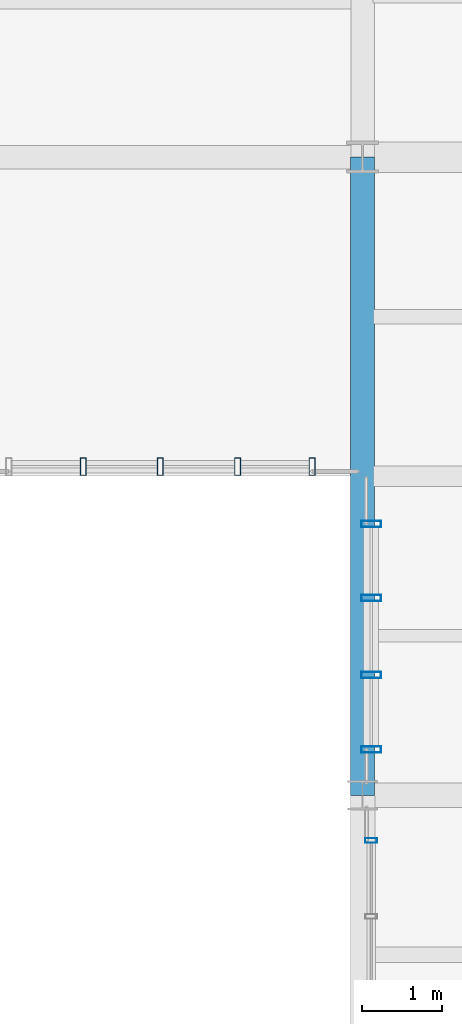
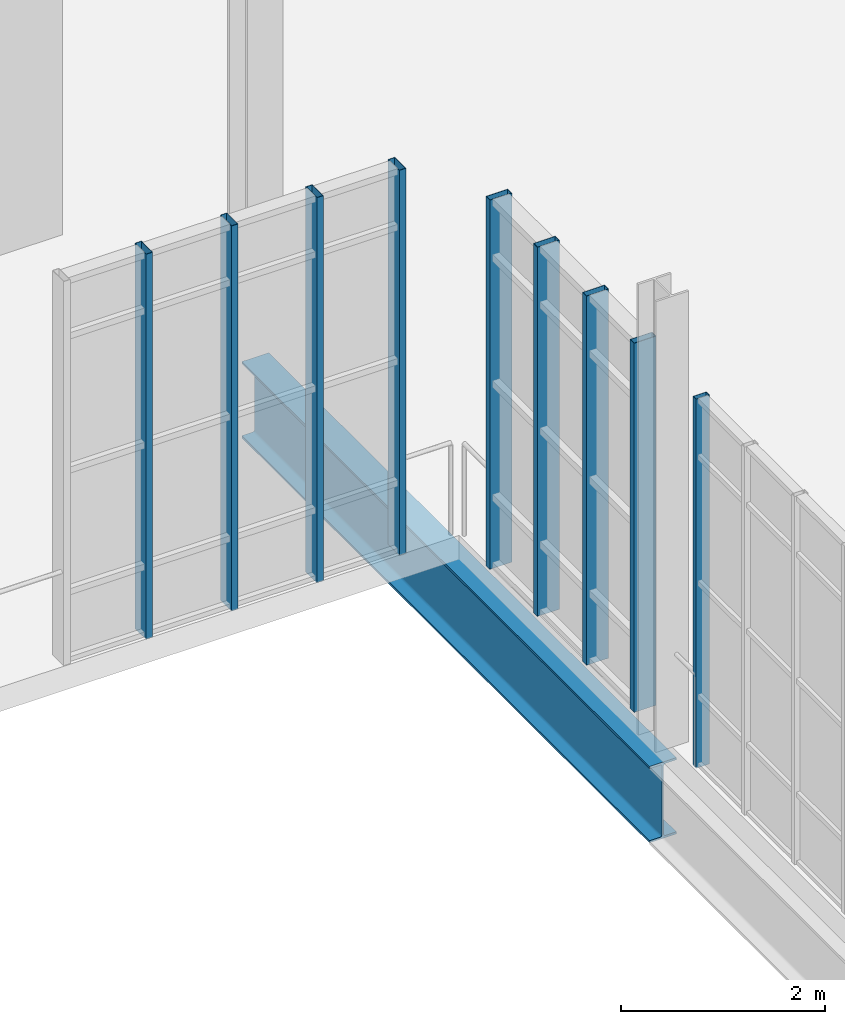
# One storey, part 71 of 189: 9 members, 1 beam, 3 elements without a shape of their own.
"""IFC4 building model written with IfcOpenShell, lengths in metres."""

from ifc_helpers import new_model, si_unit, direction, frame, origin, origin_2d, place, context, subcontext, project, spatial, hollow_rectangle, i_section, extrude, material, layer, layer_set, material_profile, profile_set, type_object, element, aggregate, save


model = new_model("IFC4")

# Units and contexts
model_context = context("Model", 3, precision=1e-05, world=origin(), true_north=direction((0.0, 1.0)))
body_context = subcontext(model_context, "Body", "Model", "MODEL_VIEW")
ifc_project = project(units=[si_unit("LENGTHUNIT", "METRE"), si_unit("AREAUNIT", "SQUARE_METRE"), si_unit("VOLUMEUNIT", "CUBIC_METRE"), si_unit("PLANEANGLEUNIT", "RADIAN"), si_unit("MASSUNIT", "GRAM", prefix="KILO"), si_unit("THERMODYNAMICTEMPERATUREUNIT", "KELVIN"), si_unit("POWERUNIT", "WATT")], contexts=[model_context])

# Site, building, storey
site_placement = place(None, origin())
site = spatial("IfcSite", under=ifc_project, at=site_placement, CompositionType="ELEMENT")
building_placement = place(site_placement, origin())
building = spatial("IfcBuilding", under=site, at=building_placement, Name="Zelmaris Science Centre", CompositionType="ELEMENT")
storey_placement = place(building_placement, origin())
storey = spatial("IfcBuildingStorey", under=building, at=storey_placement, Name="L00", CompositionType="ELEMENT", Elevation=0.0)

# Curtain wall, member
ifc_material_1 = material(Name="Anodised architectural aluminium 6063-T6", Category="aluminium")
ifc_layer_1 = layer(ifc_material_1, 0.219970703125, Name="Anodised architectural aluminium 6063-T6")
ifc_layer_set_1 = layer_set([ifc_layer_1], Name="Anodised architectural aluminium 6063-T6")
curtain_wall_type_1 = type_object("IfcCurtainWallType", Name="Curtain Wall CW-04", PredefinedType="USERDEFINED", material=ifc_layer_set_1)
curtain_wall_1_placement = place(storey_placement, origin())
curtain_wall_1 = element("IfcCurtainWall", 1, at=curtain_wall_1_placement, inside=storey, type_object=curtain_wall_type_1, Name="L00 Unitised curtain wall 68", ObjectType="GLAZED CURTAIN WALL", PredefinedType="USERDEFINED")
ifc_material_profile_1 = material_profile(ifc_material_1, hollow_rectangle(XDim=0.06005859375, YDim=0.14990234375, WallThickness=0.00341796875, at=origin_2d()), Name="ALU-MUL-60X150")
ifc_profile_set_1 = profile_set([ifc_material_profile_1], Name="Anodised architectural aluminium 6063-T6")
member_type_1 = type_object("IfcMemberType", Name="ALU-MUL-60X150", PredefinedType="MULLION", material=ifc_profile_set_1)
member_1_placement = place(storey_placement, frame((117.10791015625, 39.43408203125, -0.014892578125), z_axis=(0.0, 0.0, 1.0), x_axis=(-0.000352556502, 0.999999937852, 0.0)))
member_1 = element("IfcMember", 2, at=member_1_placement, type_object=member_type_1, Name="CW-04 mullion 6", PredefinedType="MULLION", context=body_context, shape_type="SweptSolid", body=[
    extrude(hollow_rectangle(XDim=0.06005859375, YDim=0.14990234375, WallThickness=0.00341796875, at=origin_2d()), origin(), (0.0, 0.0, 1.0), 4.421875),
])
aggregate(curtain_wall_1, [member_1])

# Curtain wall, members
ifc_layer_2 = layer(ifc_material_1, 0.199951171875, Name="Anodised architectural aluminium 6063-T6")
ifc_layer_set_2 = layer_set([ifc_layer_2], Name="Anodised architectural aluminium 6063-T6")
curtain_wall_type_2 = type_object("IfcCurtainWallType", Name="Curtain Wall CW-02", PredefinedType="USERDEFINED", material=ifc_layer_set_2)
curtain_wall_2_placement = place(storey_placement, origin())
curtain_wall_2 = element("IfcCurtainWall", 3, at=curtain_wall_2_placement, inside=storey, type_object=curtain_wall_type_2, Name="L00 Unitised curtain wall 70", ObjectType="GLAZED CURTAIN WALL", PredefinedType="USERDEFINED")
ifc_material_profile_2 = material_profile(ifc_material_1, hollow_rectangle(XDim=0.074951171875, YDim=0.219970703125, WallThickness=0.0048828125, at=origin_2d()), Name="ALU-MUL-75X220")
ifc_profile_set_2 = profile_set([ifc_material_profile_2], Name="Anodised architectural aluminium 6063-T6")
member_type_2 = type_object("IfcMemberType", Name="ALU-MUL-75X220", PredefinedType="MULLION", material=ifc_profile_set_2)
member_2_placement = place(storey_placement, frame((116.366455078125, 44.1201171875, -0.014892578125), z_axis=(0.0, 0.0, 1.0), x_axis=(-0.999999999976, 6.981317e-06, 0.0)))
member_2 = element("IfcMember", 4, at=member_2_placement, type_object=member_type_2, Name="CW-02 mullion 1", PredefinedType="MULLION", context=body_context, shape_type="SweptSolid", body=[
    extrude(hollow_rectangle(XDim=0.074951171875, YDim=0.219970703125, WallThickness=0.0048828125, at=origin_2d()), origin(), (0.0, 0.0, 1.0), 4.614990234375),
])
member_3_placement = place(storey_placement, frame((115.4326171875, 44.1201171875, -0.014892578125), z_axis=(0.0, 0.0, 1.0), x_axis=(-0.999999999976, 6.981317e-06, 0.0)))
member_3 = element("IfcMember", 5, at=member_3_placement, type_object=member_type_2, Name="CW-02 mullion 2", PredefinedType="MULLION", context=body_context, shape_type="SweptSolid", body=[
    extrude(hollow_rectangle(XDim=0.074951171875, YDim=0.219970703125, WallThickness=0.0048828125, at=origin_2d()), origin(), (0.0, 0.0, 1.0), 4.614990234375),
])
member_4_placement = place(storey_placement, frame((114.465087890625, 44.1201171875, -0.014892578125), z_axis=(0.0, 0.0, 1.0), x_axis=(-0.999999999976, 6.981317e-06, 0.0)))
member_4 = element("IfcMember", 6, at=member_4_placement, type_object=member_type_2, Name="CW-02 mullion 3", PredefinedType="MULLION", context=body_context, shape_type="SweptSolid", body=[
    extrude(hollow_rectangle(XDim=0.074951171875, YDim=0.219970703125, WallThickness=0.0048828125, at=origin_2d()), origin(), (0.0, 0.0, 1.0), 4.614990234375),
])
member_5_placement = place(storey_placement, frame((113.49755859375, 44.1201171875, -0.014892578125), z_axis=(0.0, 0.0, 1.0), x_axis=(-0.999999999976, 6.981317e-06, 0.0)))
member_5 = element("IfcMember", 7, at=member_5_placement, type_object=member_type_2, Name="CW-02 mullion 4", PredefinedType="MULLION", context=body_context, shape_type="SweptSolid", body=[
    extrude(hollow_rectangle(XDim=0.074951171875, YDim=0.219970703125, WallThickness=0.0048828125, at=origin_2d()), origin(), (0.0, 0.0, 1.0), 4.614990234375),
])
aggregate(curtain_wall_2, [member_2, member_3, member_4, member_5])

ifc_layer_3 = layer(ifc_material_1, 0.18994140625, Name="Anodised architectural aluminium 6063-T6")
ifc_layer_set_3 = layer_set([ifc_layer_3], Name="Anodised architectural aluminium 6063-T6")
curtain_wall_type_3 = type_object("IfcCurtainWallType", Name="Curtain Wall CW-01", PredefinedType="USERDEFINED", material=ifc_layer_set_3)
curtain_wall_3_placement = place(storey_placement, origin())
curtain_wall_3 = element("IfcCurtainWall", 8, at=curtain_wall_3_placement, inside=storey, type_object=curtain_wall_type_3, Name="L00 Unitised curtain wall 69", ObjectType="GLAZED CURTAIN WALL", PredefinedType="USERDEFINED")
ifc_material_profile_3 = material_profile(ifc_material_1, hollow_rectangle(XDim=0.080078125, YDim=0.25, WallThickness=0.0048828125, at=origin_2d()), Name="ALU-MUL-80X250")
ifc_profile_set_3 = profile_set([ifc_material_profile_3], Name="Anodised architectural aluminium 6063-T6")
member_type_3 = type_object("IfcMemberType", Name="ALU-MUL-80X250", PredefinedType="MULLION", material=ifc_profile_set_3)
member_6_placement = place(storey_placement, frame((117.107666015625, 40.575927734375, -0.014892578125), z_axis=(0.0, 0.0, 1.0), x_axis=(-0.000352556502, 0.999999937852, 0.0)))
member_6 = element("IfcMember", 9, at=member_6_placement, type_object=member_type_3, Name="CW-01 mullion 1", PredefinedType="MULLION", context=body_context, shape_type="SweptSolid", body=[
    extrude(hollow_rectangle(XDim=0.080078125, YDim=0.25, WallThickness=0.0048828125, at=origin_2d()), origin(), (0.0, 0.0, 1.0), 4.421875),
])
member_7_placement = place(storey_placement, frame((117.107177734375, 41.506103515625, -0.014892578125), z_axis=(0.0, 0.0, 1.0), x_axis=(-0.000352556502, 0.999999937852, 0.0)))
member_7 = element("IfcMember", 10, at=member_7_placement, type_object=member_type_3, Name="CW-01 mullion 2", PredefinedType="MULLION", context=body_context, shape_type="SweptSolid", body=[
    extrude(hollow_rectangle(XDim=0.080078125, YDim=0.25, WallThickness=0.0048828125, at=origin_2d()), origin(), (0.0, 0.0, 1.0), 4.421875),
])
member_8_placement = place(storey_placement, frame((117.10693359375, 42.47216796875, -0.014892578125), z_axis=(0.0, 0.0, 1.0), x_axis=(-0.000352556502, 0.999999937852, 0.0)))
member_8 = element("IfcMember", 11, at=member_8_placement, type_object=member_type_3, Name="CW-01 mullion 3", PredefinedType="MULLION", context=body_context, shape_type="SweptSolid", body=[
    extrude(hollow_rectangle(XDim=0.080078125, YDim=0.25, WallThickness=0.0048828125, at=origin_2d()), origin(), (0.0, 0.0, 1.0), 4.421875),
])
member_9_placement = place(storey_placement, frame((117.106689453125, 43.402099609375, -0.014892578125), z_axis=(0.0, 0.0, 1.0), x_axis=(-0.000352556502, 0.999999937852, 0.0)))
member_9 = element("IfcMember", 12, at=member_9_placement, type_object=member_type_3, Name="CW-01 mullion 4", PredefinedType="MULLION", context=body_context, shape_type="SweptSolid", body=[
    extrude(hollow_rectangle(XDim=0.080078125, YDim=0.25, WallThickness=0.0048828125, at=origin_2d()), origin(), (0.0, 0.0, 1.0), 4.421875),
])
aggregate(curtain_wall_3, [member_6, member_7, member_8, member_9])

# Beam
ifc_material_2 = material(Name="Steel ASTM A992 Grade 50", Category="steel")
ifc_material_profile_4 = material_profile(ifc_material_2, i_section(OverallWidth=0.304931640625, OverallDepth=0.9140625, WebThickness=0.0166015625, FlangeThickness=0.02587890625, FilletRadius=0.02392578125, at=origin_2d()), Name="W36X160")
ifc_profile_set_4 = profile_set([ifc_material_profile_4], Name="Steel ASTM A992 Grade 50")
beam_type = type_object("IfcBeamType", Name="Beam G-04 W36X160", PredefinedType="BEAM", material=ifc_profile_set_4)
beam_placement = place(storey_placement, frame((117.0, 40.0, -0.7470703125), z_axis=(0.0, 1.0, 0.0), x_axis=(-1.0, 0.0, 0.0)))
element("IfcBeam", 13, at=beam_placement, inside=storey, type_object=beam_type, Name="L00 North-south girder 63", PredefinedType="BEAM", context=body_context, shape_type="SweptSolid", body=[
    extrude(i_section(OverallWidth=0.304931640625, OverallDepth=0.9140625, WebThickness=0.0166015625, FlangeThickness=0.02587890625, FilletRadius=0.02392578125, at=origin_2d()), origin(), (0.0, 0.0, 1.0), 8.0),
])

save(model, "model.ifc")
